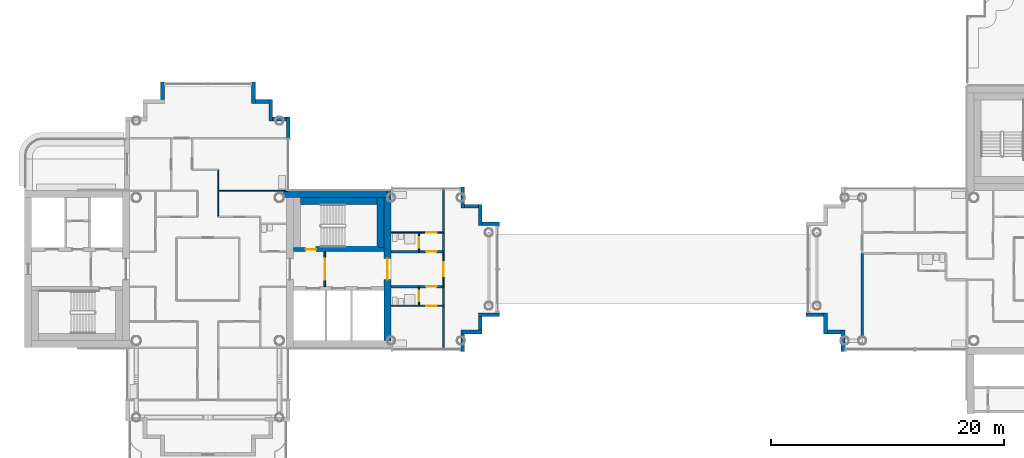
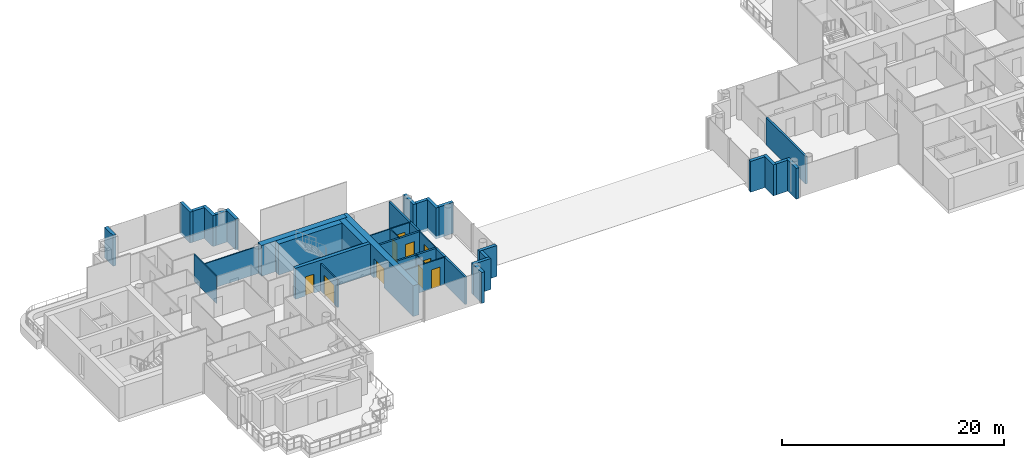
# One storey, part 9 of 19: 37 walls, 10 doors, 10 openings.
"""IFC4 building model written with IfcOpenShell, lengths in metres."""

from ifc_helpers import new_model, si_unit, direction, frame, frame_2d, origin, place, context, subcontext, project, spatial, rectangle, extrude, material, layer, layer_set, type_object, element, fill, save


model = new_model("IFC4")

# Units and contexts
model_context = context("Model", 3, precision=1e-05, world=origin(), true_north=direction((0.0, 1.0)))
body_context = subcontext(model_context, "Body", "Model", "MODEL_VIEW")
ifc_project = project(units=[si_unit("LENGTHUNIT", "METRE"), si_unit("AREAUNIT", "SQUARE_METRE"), si_unit("VOLUMEUNIT", "CUBIC_METRE"), si_unit("PLANEANGLEUNIT", "RADIAN"), si_unit("MASSUNIT", "GRAM", prefix="KILO")], contexts=[model_context])

# Site, building, storey
site_placement = place(None, origin())
site = spatial("IfcSite", under=ifc_project, at=site_placement, CompositionType="ELEMENT")
building_placement = place(site_placement, origin())
building = spatial("IfcBuilding", under=site, at=building_placement, Name="Ipe Terrace Towers", CompositionType="ELEMENT")
storey_placement = place(building_placement, frame((0.0, 0.0, 185.800048828125)))
storey = spatial("IfcBuildingStorey", under=building, at=storey_placement, Name="L51", CompositionType="ELEMENT", Elevation=185.800048828125)

# Walls
ifc_material_1 = material(Name="Concrete C40/50 with buff precast cladding", Category="concrete")
ifc_layer_1 = layer(ifc_material_1, 0.320068359375)
ifc_layer_set_1 = layer_set([ifc_layer_1], Name="BUFF CLADDING WALL 320")
wall_type_1 = type_object("IfcWallType", Name="BUFF CLADDING WALL 320", PredefinedType="STANDARD", material=ifc_layer_set_1)
wall_1_placement = place(storey_placement, frame((-14.090087890625, -7.070068359375, -0.300048828125), z_axis=(0.0, 0.0, 1.0), x_axis=(0.0, 1.0, 0.0)))
element("IfcWall", 1, at=wall_1_placement, inside=storey, type_object=wall_type_1, Name="T1-W-L51-17a wall", PredefinedType="STANDARD", context=body_context, shape_type="SweptSolid", body=[
    extrude(rectangle(XDim=1.5, YDim=0.320068359375, at=frame_2d((0.75, 0.0))), origin(), (0.0, 0.0, 1.0), 3.39990234375),
])
wall_2_placement = place(storey_placement, frame((-14.25, -5.409912109375, -0.300048828125), z_axis=(0.0, 0.0, 1.0), x_axis=(1.0, 0.0, 0.0)))
element("IfcWall", 2, at=wall_2_placement, inside=storey, type_object=wall_type_1, Name="T1-W-L51-18a wall", PredefinedType="STANDARD", context=body_context, shape_type="SweptSolid", body=[
    extrude(rectangle(XDim=1.820068359375, YDim=0.320068359375, at=frame_2d((0.91015625, 0.0))), origin(), (0.0, 0.0, 1.0), 3.39990234375),
])
wall_3_placement = place(storey_placement, frame((-12.590087890625, -5.25, -0.300048828125), z_axis=(0.0, 0.0, 1.0), x_axis=(0.0, 1.0, 0.0)))
element("IfcWall", 3, at=wall_3_placement, inside=storey, type_object=wall_type_1, Name="T1-W-L51-19a wall", PredefinedType="STANDARD", context=body_context, shape_type="SweptSolid", body=[
    extrude(rectangle(XDim=1.179931640625, YDim=0.320068359375, at=frame_2d((0.58984375, 0.0))), origin(), (0.0, 0.0, 1.0), 3.39990234375),
])
wall_4_placement = place(storey_placement, frame((-12.75, -3.909912109375, -0.300048828125), z_axis=(0.0, 0.0, 1.0), x_axis=(1.0, 0.0, 0.0)))
element("IfcWall", 4, at=wall_4_placement, inside=storey, type_object=wall_type_1, Name="T1-W-L51-20a wall", PredefinedType="STANDARD", context=body_context, shape_type="SweptSolid", body=[
    extrude(rectangle(XDim=1.820068359375, YDim=0.320068359375, at=frame_2d((0.91015625, 0.0))), origin(), (0.0, 0.0, 1.0), 3.39990234375),
])
wall_5_placement = place(storey_placement, frame((-10.929931640625, 3.909912109375, -0.300048828125), z_axis=(0.0, 0.0, 1.0), x_axis=(-1.0, 0.0, 0.0)))
element("IfcWall", 5, at=wall_5_placement, inside=storey, type_object=wall_type_1, Name="T1-W-L51-22a wall", PredefinedType="STANDARD", context=body_context, shape_type="SweptSolid", body=[
    extrude(rectangle(XDim=1.5, YDim=0.320068359375, at=frame_2d((0.75, 0.0))), origin(), (0.0, 0.0, 1.0), 3.39990234375),
])
wall_6_placement = place(storey_placement, frame((-12.590087890625, 3.75, -0.300048828125), z_axis=(0.0, 0.0, 1.0), x_axis=(0.0, 1.0, 0.0)))
element("IfcWall", 6, at=wall_6_placement, inside=storey, type_object=wall_type_1, Name="T1-W-L51-23a wall", PredefinedType="STANDARD", context=body_context, shape_type="SweptSolid", body=[
    extrude(rectangle(XDim=1.820068359375, YDim=0.320068359375, at=frame_2d((0.91015625, 0.0))), origin(), (0.0, 0.0, 1.0), 3.39990234375),
])
wall_7_placement = place(storey_placement, frame((-12.75, 5.409912109375, -0.300048828125), z_axis=(0.0, 0.0, 1.0), x_axis=(-1.0, 0.0, 0.0)))
element("IfcWall", 7, at=wall_7_placement, inside=storey, type_object=wall_type_1, Name="T1-W-L51-24a wall", PredefinedType="STANDARD", context=body_context, shape_type="SweptSolid", body=[
    extrude(rectangle(XDim=1.179931640625, YDim=0.320068359375, at=frame_2d((0.58984375, 0.0))), origin(), (0.0, 0.0, 1.0), 3.39990234375),
])
for number, where, z_axis, x_axis, name in (
    (8, (-14.090087890625, 5.25, -0.300048828125), (0.0, 0.0, 1.0), (0.0, 1.0, 0.0), "T1-W-L51-25a wall"),
    (9, (-29.090087890625, 11.25, -0.300048828125), (0.0, 0.0, 1.0), (0.0, 1.0, 0.0), "T1-W-L51-29a wall"),
):
    element("IfcWall", number, at=place(storey_placement, frame(where, z_axis=z_axis, x_axis=x_axis)), inside=storey, type_object=wall_type_1, Name=name, PredefinedType="STANDARD", context=body_context, shape_type="SweptSolid", body=[
        extrude(rectangle(XDim=1.820068359375, YDim=0.320068359375, at=frame_2d((0.91015625, 0.0))), origin(), (0.0, 0.0, 1.0), 3.39990234375),
    ])
wall_8_placement = place(storey_placement, frame((-29.25, 12.909912109375, -0.300048828125), z_axis=(0.0, 0.0, 1.0), x_axis=(-1.0, 0.0, 0.0)))
element("IfcWall", 10, at=wall_8_placement, inside=storey, type_object=wall_type_1, Name="T1-W-L51-30a wall", PredefinedType="STANDARD", context=body_context, shape_type="SweptSolid", body=[
    extrude(rectangle(XDim=1.179931640625, YDim=0.320068359375, at=frame_2d((0.58984375, 0.0))), origin(), (0.0, 0.0, 1.0), 3.39990234375),
])
wall_9_placement = place(storey_placement, frame((-30.590087890625, 12.75, -0.300048828125), z_axis=(0.0, 0.0, 1.0), x_axis=(0.0, 1.0, 0.0)))
element("IfcWall", 11, at=wall_9_placement, inside=storey, type_object=wall_type_1, Name="T1-W-L51-31a wall", PredefinedType="STANDARD", context=body_context, shape_type="SweptSolid", body=[
    extrude(rectangle(XDim=1.820068359375, YDim=0.320068359375, at=frame_2d((0.91015625, 0.0))), origin(), (0.0, 0.0, 1.0), 3.39990234375),
])
wall_10_placement = place(storey_placement, frame((-30.75, 14.409912109375, -0.300048828125), z_axis=(0.0, 0.0, 1.0), x_axis=(-1.0, 0.0, 0.0)))
element("IfcWall", 12, at=wall_10_placement, inside=storey, type_object=wall_type_1, Name="T1-W-L51-32a wall", PredefinedType="STANDARD", context=body_context, shape_type="SweptSolid", body=[
    extrude(rectangle(XDim=1.179931640625, YDim=0.320068359375, at=frame_2d((0.58984375, 0.0))), origin(), (0.0, 0.0, 1.0), 3.39990234375),
])
wall_11_placement = place(storey_placement, frame((-32.090087890625, 14.25, -0.300048828125), z_axis=(0.0, 0.0, 1.0), x_axis=(0.0, 1.0, 0.0)))
element("IfcWall", 13, at=wall_11_placement, inside=storey, type_object=wall_type_1, Name="T1-W-L51-33a wall", PredefinedType="STANDARD", context=body_context, shape_type="SweptSolid", body=[
    extrude(rectangle(XDim=1.820068359375, YDim=0.320068359375, at=frame_2d((0.91015625, 0.0))), origin(), (0.0, 0.0, 1.0), 3.39990234375),
])
for number, where, z_axis, x_axis, name in (
    (14, (-39.909912109375, 16.070068359375, -0.300048828125), (0.0, 0.0, 1.0), (0.0, -1.0, 0.0), "T1-W-L51-35a wall"),
    (15, (15.429931640625, -3.909912109375, -0.300048828125), (0.0, 0.0, 1.0), (1.0, 0.0, 0.0), "T2-W-L51-27a wall"),
):
    element("IfcWall", number, at=place(storey_placement, frame(where, z_axis=z_axis, x_axis=x_axis)), inside=storey, type_object=wall_type_1, Name=name, PredefinedType="STANDARD", context=body_context, shape_type="SweptSolid", body=[
        extrude(rectangle(XDim=1.5, YDim=0.320068359375, at=frame_2d((0.75, 0.0))), origin(), (0.0, 0.0, 1.0), 3.39990234375),
    ])
wall_12_placement = place(storey_placement, frame((17.090087890625, -3.75, -0.300048828125), z_axis=(0.0, 0.0, 1.0), x_axis=(0.0, -1.0, 0.0)))
element("IfcWall", 16, at=wall_12_placement, inside=storey, type_object=wall_type_1, Name="T2-W-L51-28a wall", PredefinedType="STANDARD", context=body_context, shape_type="SweptSolid", body=[
    extrude(rectangle(XDim=1.820068359375, YDim=0.320068359375, at=frame_2d((0.91015625, 0.0))), origin(), (0.0, 0.0, 1.0), 3.39990234375),
])
wall_13_placement = place(storey_placement, frame((17.25, -5.409912109375, -0.300048828125), z_axis=(0.0, 0.0, 1.0), x_axis=(1.0, 0.0, 0.0)))
element("IfcWall", 17, at=wall_13_placement, inside=storey, type_object=wall_type_1, Name="T2-W-L51-29a wall", PredefinedType="STANDARD", context=body_context, shape_type="SweptSolid", body=[
    extrude(rectangle(XDim=1.179931640625, YDim=0.320068359375, at=frame_2d((0.58984375, 0.0))), origin(), (0.0, 0.0, 1.0), 3.39990234375),
])
wall_14_placement = place(storey_placement, frame((18.590087890625, -5.25, -0.300048828125), z_axis=(0.0, 0.0, 1.0), x_axis=(0.0, -1.0, 0.0)))
element("IfcWall", 18, at=wall_14_placement, inside=storey, type_object=wall_type_1, Name="T2-W-L51-30a wall", PredefinedType="STANDARD", context=body_context, shape_type="SweptSolid", body=[
    extrude(rectangle(XDim=1.820068359375, YDim=0.320068359375, at=frame_2d((0.91015625, 0.0))), origin(), (0.0, 0.0, 1.0), 3.39990234375),
])
ifc_material_2 = material(Name="Gypsum board partition", Category="plasterboard")
ifc_layer_2 = layer(ifc_material_2, 0.10009765625)
ifc_layer_set_2 = layer_set([ifc_layer_2], Name="Gypsum board partition 100 mm")
wall_type_2 = type_object("IfcWallType", Name="Gypsum board partition 100 mm", PredefinedType="PARTITIONING", material=ifc_layer_set_2)
wall_15_placement = place(storey_placement, frame((-35.10009765625, 4.5, 0.0), z_axis=(0.0, 0.0, 1.0), x_axis=(0.0, 1.0, 0.0)))
element("IfcWall", 19, at=wall_15_placement, inside=storey, type_object=wall_type_2, Name="Gypsum board partition T1 L51 W09", PredefinedType="PARTITIONING", context=body_context, shape_type="SweptSolid", body=[
    extrude(rectangle(XDim=4.050048828125, YDim=0.10009765625, at=frame_2d((2.02490234375, 0.0))), origin(), (0.0, 0.0, 1.0), 3.0),
])

# Wall, opening, door
wall_16_placement = place(storey_placement, frame((-17.85009765625, -3.14990234375, 0.0), z_axis=(0.0, 0.0, 1.0), x_axis=(0.0, 1.0, 0.0)))
wall_16 = element("IfcWall", 20, at=wall_16_placement, inside=storey, type_object=wall_type_2, Name="Gypsum board partition T1 L51 W13", PredefinedType="PARTITIONING", context=body_context, shape_type="SweptSolid", body=[
    extrude(rectangle(XDim=1.64990234375, YDim=0.10009765625, at=frame_2d((0.824951171875, 0.0))), origin(), (0.0, 0.0, 1.0), 3.0),
])
opening_1_placement = place(wall_16_placement, frame((0.39990234375, 0.0, 0.0)))
opening_1 = element("IfcOpeningElement", 21, at=opening_1_placement, cuts=wall_16, Name="Opening T1-Z4C-21", PredefinedType="OPENING", context=body_context, shape_type="SweptSolid", body=[
    extrude(rectangle(XDim=0.89990234375, YDim=2.10009765625, at=frame_2d((0.449951171875, 1.050048828125))), frame((0.0, 0.06005859375, 0.0), z_axis=(0.0, -1.0, 0.0), x_axis=(1.0, 0.0, 0.0)), (0.0, 0.0, 1.0), 0.1201171875),
])
ifc_material_3 = material(Name="Timber door leaf", Category="wood")
door_type_1 = type_object("IfcDoorType", Name="Bathroom door 900 x 2100", OperationType="NOTDEFINED", PredefinedType="DOOR", material=ifc_material_3)
door_1_placement = place(opening_1_placement, origin())
door_1 = element("IfcDoor", 22, at=door_1_placement, inside=storey, type_object=door_type_1, Name="Bathroom door T1-Z4C-21", OperationType="SINGLE_SWING_LEFT", OverallHeight=2.10009765625, OverallWidth=0.89990234375, PredefinedType="DOOR", context=body_context, shape_type="SweptSolid", body=[
    extrude(rectangle(XDim=0.89990234375, YDim=2.10009765625, at=frame_2d((0.449951171875, 1.050048828125))), frame((0.0, 0.02490234375, 0.0), z_axis=(0.0, -1.0, 0.0), x_axis=(1.0, 0.0, 0.0)), (0.0, 0.0, 1.0), 0.050048828125),
])
fill(opening_1, door_1)

wall_17_placement = place(storey_placement, frame((-17.85009765625, 1.5, 0.0), z_axis=(0.0, 0.0, 1.0), x_axis=(0.0, 1.0, 0.0)))
wall_17 = element("IfcWall", 23, at=wall_17_placement, inside=storey, type_object=wall_type_2, Name="Gypsum board partition T1 L51 W14", PredefinedType="PARTITIONING", context=body_context, shape_type="SweptSolid", body=[
    extrude(rectangle(XDim=1.64990234375, YDim=0.10009765625, at=frame_2d((0.824951171875, 0.0))), origin(), (0.0, 0.0, 1.0), 3.0),
])
opening_2_placement = place(wall_17_placement, frame((0.35009765625, 0.0, 0.0)))
opening_2 = element("IfcOpeningElement", 24, at=opening_2_placement, cuts=wall_17, Name="Opening T1-Z4C-18", PredefinedType="OPENING", context=body_context, shape_type="SweptSolid", body=[
    extrude(rectangle(XDim=0.89990234375, YDim=2.10009765625, at=frame_2d((0.449951171875, 1.050048828125))), frame((0.0, 0.06005859375, 0.0), z_axis=(0.0, -1.0, 0.0), x_axis=(1.0, 0.0, 0.0)), (0.0, 0.0, 1.0), 0.1201171875),
])
door_2_placement = place(opening_2_placement, origin())
door_2 = element("IfcDoor", 25, at=door_2_placement, inside=storey, type_object=door_type_1, Name="Bathroom door T1-Z4C-18", OperationType="SINGLE_SWING_RIGHT", OverallHeight=2.10009765625, OverallWidth=0.89990234375, PredefinedType="DOOR", context=body_context, shape_type="SweptSolid", body=[
    extrude(rectangle(XDim=0.89990234375, YDim=2.10009765625, at=frame_2d((0.449951171875, 1.050048828125))), frame((0.0, 0.02490234375, 0.0), z_axis=(0.0, -1.0, 0.0), x_axis=(1.0, 0.0, 0.0)), (0.0, 0.0, 1.0), 0.050048828125),
])
fill(opening_2, door_2)

wall_18_placement = place(storey_placement, frame((-15.75, -1.5, 0.0), z_axis=(0.0, 0.0, 1.0), x_axis=(0.0, 1.0, 0.0)))
wall_18 = element("IfcWall", 26, at=wall_18_placement, inside=storey, type_object=wall_type_2, Name="Gypsum board partition T1 L51 W15", PredefinedType="PARTITIONING", context=body_context, shape_type="SweptSolid", body=[
    extrude(rectangle(XDim=3.0, YDim=0.10009765625, at=frame_2d((1.5, 0.0))), origin(), (0.0, 0.0, 1.0), 3.0),
])
opening_3_placement = place(wall_18_placement, frame((0.89990234375, 0.0, 0.0)))
opening_3 = element("IfcOpeningElement", 27, at=opening_3_placement, cuts=wall_18, Name="Opening T1-Z4C-22", PredefinedType="OPENING", context=body_context, shape_type="SweptSolid", body=[
    extrude(rectangle(XDim=1.199951171875, YDim=2.10009765625, at=frame_2d((0.60009765625, 1.050048828125))), frame((0.0, 0.06005859375, 0.0), z_axis=(0.0, -1.0, 0.0), x_axis=(1.0, 0.0, 0.0)), (0.0, 0.0, 1.0), 0.1201171875),
])
ifc_material_4 = material(Name="Timber door leaf", Category="wood")
door_type_2 = type_object("IfcDoorType", Name="Lounge door 1200 x 2100", OperationType="NOTDEFINED", PredefinedType="DOOR", material=ifc_material_4)
door_3_placement = place(opening_3_placement, origin())
door_3 = element("IfcDoor", 28, at=door_3_placement, inside=storey, type_object=door_type_2, Name="Lounge door T1-Z4C-22", OperationType="SINGLE_SWING_RIGHT", OverallHeight=2.10009765625, OverallWidth=1.199951171875, PredefinedType="DOOR", context=body_context, shape_type="SweptSolid", body=[
    extrude(rectangle(XDim=1.199951171875, YDim=2.10009765625, at=frame_2d((0.60009765625, 1.050048828125))), frame((0.0, 0.02490234375, 0.0), z_axis=(0.0, -1.0, 0.0), x_axis=(1.0, 0.0, 0.0)), (0.0, 0.0, 1.0), 0.050048828125),
])
fill(opening_3, door_3)

wall_19_placement = place(storey_placement, frame((-20.25, -3.14990234375, 0.0), z_axis=(0.0, 0.0, 1.0), x_axis=(1.0, 0.0, 0.0)))
wall_19 = element("IfcWall", 29, at=wall_19_placement, inside=storey, type_object=wall_type_2, Name="Gypsum board partition T1 L51 W23", PredefinedType="PARTITIONING", context=body_context, shape_type="SweptSolid", body=[
    extrude(rectangle(XDim=4.5, YDim=0.10009765625, at=frame_2d((2.25, 0.0))), origin(), (0.0, 0.0, 1.0), 3.0),
])
opening_4_placement = place(wall_19_placement, frame((3.0, 0.0, 0.0)))
opening_4 = element("IfcOpeningElement", 30, at=opening_4_placement, cuts=wall_19, Name="Opening T1-Z4C-20", PredefinedType="OPENING", context=body_context, shape_type="SweptSolid", body=[
    extrude(rectangle(XDim=0.89990234375, YDim=2.10009765625, at=frame_2d((0.449951171875, 1.050048828125))), frame((0.0, 0.06005859375, 0.0), z_axis=(0.0, -1.0, 0.0), x_axis=(1.0, 0.0, 0.0)), (0.0, 0.0, 1.0), 0.1201171875),
])
ifc_material_5 = material(Name="Timber door leaf", Category="wood")
door_type_3 = type_object("IfcDoorType", Name="Bedroom door 900 x 2100", OperationType="NOTDEFINED", PredefinedType="DOOR", material=ifc_material_5)
door_4_placement = place(opening_4_placement, origin())
door_4 = element("IfcDoor", 31, at=door_4_placement, inside=storey, type_object=door_type_3, Name="Bedroom door T1-Z4C-20", OperationType="SINGLE_SWING_RIGHT", OverallHeight=2.10009765625, OverallWidth=0.89990234375, PredefinedType="DOOR", context=body_context, shape_type="SweptSolid", body=[
    extrude(rectangle(XDim=0.89990234375, YDim=2.10009765625, at=frame_2d((0.449951171875, 1.050048828125))), frame((0.0, 0.02490234375, 0.0), z_axis=(0.0, -1.0, 0.0), x_axis=(1.0, 0.0, 0.0)), (0.0, 0.0, 1.0), 0.050048828125),
])
fill(opening_4, door_4)

wall_20_placement = place(storey_placement, frame((-20.25, 3.14990234375, 0.0), z_axis=(0.0, 0.0, 1.0), x_axis=(1.0, 0.0, 0.0)))
wall_20 = element("IfcWall", 32, at=wall_20_placement, inside=storey, type_object=wall_type_2, Name="Gypsum board partition T1 L51 W32", PredefinedType="PARTITIONING", context=body_context, shape_type="SweptSolid", body=[
    extrude(rectangle(XDim=4.5, YDim=0.10009765625, at=frame_2d((2.25, 0.0))), origin(), (0.0, 0.0, 1.0), 3.0),
])
opening_5_placement = place(wall_20_placement, frame((3.0, 0.0, 0.0)))
opening_5 = element("IfcOpeningElement", 33, at=opening_5_placement, cuts=wall_20, Name="Opening T1-Z4C-17", PredefinedType="OPENING", context=body_context, shape_type="SweptSolid", body=[
    extrude(rectangle(XDim=0.89990234375, YDim=2.10009765625, at=frame_2d((0.449951171875, 1.050048828125))), frame((0.0, 0.06005859375, 0.0), z_axis=(0.0, -1.0, 0.0), x_axis=(1.0, 0.0, 0.0)), (0.0, 0.0, 1.0), 0.1201171875),
])
door_5_placement = place(opening_5_placement, origin())
door_5 = element("IfcDoor", 34, at=door_5_placement, inside=storey, type_object=door_type_3, Name="Bedroom door T1-Z4C-17", OperationType="SINGLE_SWING_LEFT", OverallHeight=2.10009765625, OverallWidth=0.89990234375, PredefinedType="DOOR", context=body_context, shape_type="SweptSolid", body=[
    extrude(rectangle(XDim=0.89990234375, YDim=2.10009765625, at=frame_2d((0.449951171875, 1.050048828125))), frame((0.0, 0.02490234375, 0.0), z_axis=(0.0, -1.0, 0.0), x_axis=(1.0, 0.0, 0.0)), (0.0, 0.0, 1.0), 0.050048828125),
])
fill(opening_5, door_5)

# Wall
wall_21_placement = place(storey_placement, frame((-35.10009765625, 6.75, 0.0), z_axis=(0.0, 0.0, 1.0), x_axis=(1.0, 0.0, 0.0)))
element("IfcWall", 35, at=wall_21_placement, inside=storey, type_object=wall_type_2, Name="Gypsum board partition T1 L51 W37", PredefinedType="PARTITIONING", context=body_context, shape_type="SweptSolid", body=[
    extrude(rectangle(XDim=5.9501953125, YDim=0.10009765625, at=frame_2d((2.97509765625, 0.0))), origin(), (0.0, 0.0, 1.0), 3.0),
])

# Wall, opening, door
ifc_material_6 = material(Name="Gypsum board partition", Category="plasterboard")
ifc_layer_3 = layer(ifc_material_6, 0.14990234375)
ifc_layer_set_3 = layer_set([ifc_layer_3], Name="Gypsum board partition 150 mm")
wall_type_3 = type_object("IfcWallType", Name="Gypsum board partition 150 mm", PredefinedType="PARTITIONING", material=ifc_layer_set_3)
wall_22_placement = place(storey_placement, frame((-25.949951171875, -1.5, 0.0), z_axis=(0.0, 0.0, 1.0), x_axis=(0.0, 1.0, 0.0)))
wall_22 = element("IfcWall", 36, at=wall_22_placement, inside=storey, type_object=wall_type_3, Name="Gypsum board partition T1 L51 t1c1-lobby-wall", PredefinedType="PARTITIONING", context=body_context, shape_type="SweptSolid", body=[
    extrude(rectangle(XDim=3.0, YDim=0.14990234375, at=frame_2d((1.5, 0.0))), origin(), (0.0, 0.0, 1.0), 3.0),
])
opening_6_placement = place(wall_22_placement, frame((0.60009765625, 0.0, 0.0)))
opening_6 = element("IfcOpeningElement", 37, at=opening_6_placement, cuts=wall_22, Name="Opening T1C1-VD", PredefinedType="OPENING", context=body_context, shape_type="SweptSolid", body=[
    extrude(rectangle(XDim=1.800048828125, YDim=2.10009765625, at=frame_2d((0.89990234375, 1.050048828125))), frame((0.0, 0.0849609375, 0.0), z_axis=(0.0, -1.0, 0.0), x_axis=(1.0, 0.0, 0.0)), (0.0, 0.0, 1.0), 0.169921875),
])
ifc_material_7 = material(Name="Fire-rated timber door leaf", Category="wood")
door_type_4 = type_object("IfcDoorType", Name="Lobby door 1800 x 2100 FD60", OperationType="NOTDEFINED", PredefinedType="DOOR", material=ifc_material_7)
door_6_placement = place(opening_6_placement, origin())
door_6 = element("IfcDoor", 38, at=door_6_placement, inside=storey, type_object=door_type_4, Name="Lobby door T1C1-VD", OperationType="SINGLE_SWING_LEFT", OverallHeight=2.10009765625, OverallWidth=1.800048828125, PredefinedType="DOOR", context=body_context, shape_type="SweptSolid", body=[
    extrude(rectangle(XDim=1.800048828125, YDim=2.10009765625, at=frame_2d((0.89990234375, 1.050048828125))), frame((0.0, 0.02490234375, 0.0), z_axis=(0.0, -1.0, 0.0), x_axis=(1.0, 0.0, 0.0)), (0.0, 0.0, 1.0), 0.050048828125),
])
fill(opening_6, door_6)

# Walls
ifc_material_8 = material(Name="Gypsum board party wall", Category="plasterboard")
ifc_layer_4 = layer(ifc_material_8, 0.199951171875)
ifc_layer_set_4 = layer_set([ifc_layer_4], Name="Gypsum board party wall 200 mm")
wall_type_4 = type_object("IfcWallType", Name="Gypsum board party wall 200 mm", PredefinedType="SOLIDWALL", material=ifc_layer_set_4)
for number, where, z_axis, x_axis, name in (
    (39, (-15.75, -6.85009765625, 0.0), (0.0, 0.0, 1.0), (0.0, 1.0, 0.0), "Gypsum board party wall T1 L51 W16"),
    (40, (-15.75, 1.5, 0.0), (0.0, 0.0, 1.0), (0.0, 1.0, 0.0), "Gypsum board party wall T1 L51 W17"),
):
    element("IfcWall", number, at=place(storey_placement, frame(where, z_axis=z_axis, x_axis=x_axis)), inside=storey, type_object=wall_type_4, Name=name, PredefinedType="SOLIDWALL", context=body_context, shape_type="SweptSolid", body=[
        extrude(rectangle(XDim=5.35009765625, YDim=0.199951171875, at=frame_2d((2.675048828125, 0.0))), origin(), (0.0, 0.0, 1.0), 3.0),
    ])

# Wall, opening, door
wall_23_placement = place(storey_placement, frame((-20.25, -1.5, 0.0), z_axis=(0.0, 0.0, 1.0), x_axis=(1.0, 0.0, 0.0)))
wall_23 = element("IfcWall", 41, at=wall_23_placement, inside=storey, type_object=wall_type_4, Name="Gypsum board party wall T1 L51 W27", PredefinedType="SOLIDWALL", context=body_context, shape_type="SweptSolid", body=[
    extrude(rectangle(XDim=4.5, YDim=0.199951171875, at=frame_2d((2.25, 0.0))), origin(), (0.0, 0.0, 1.0), 3.0),
])
opening_7_placement = place(wall_23_placement, frame((3.0, 0.0, 0.0)))
opening_7 = element("IfcOpeningElement", 42, at=opening_7_placement, cuts=wall_23, Name="Opening T1-Z4C-19", PredefinedType="OPENING", context=body_context, shape_type="SweptSolid", body=[
    extrude(rectangle(XDim=0.89990234375, YDim=2.10009765625, at=frame_2d((0.449951171875, 1.050048828125))), frame((0.0, 0.10986328125, 0.0), z_axis=(0.0, -1.0, 0.0), x_axis=(1.0, 0.0, 0.0)), (0.0, 0.0, 1.0), 0.219970703125),
])
ifc_material_9 = material(Name="Fire-rated timber door leaf", Category="wood")
door_type_5 = type_object("IfcDoorType", Name="Flat entrance door 900 x 2100 FD30S", OperationType="NOTDEFINED", PredefinedType="DOOR", material=ifc_material_9)
door_7_placement = place(opening_7_placement, origin())
door_7 = element("IfcDoor", 43, at=door_7_placement, inside=storey, type_object=door_type_5, Name="Flat entrance door T1-Z4C-19", OperationType="SINGLE_SWING_RIGHT", OverallHeight=2.10009765625, OverallWidth=0.89990234375, PredefinedType="DOOR", context=body_context, shape_type="SweptSolid", body=[
    extrude(rectangle(XDim=0.89990234375, YDim=2.10009765625, at=frame_2d((0.449951171875, 1.050048828125))), frame((0.0, 0.02490234375, 0.0), z_axis=(0.0, -1.0, 0.0), x_axis=(1.0, 0.0, 0.0)), (0.0, 0.0, 1.0), 0.050048828125),
])
fill(opening_7, door_7)

wall_24_placement = place(storey_placement, frame((-20.25, 1.5, 0.0), z_axis=(0.0, 0.0, 1.0), x_axis=(1.0, 0.0, 0.0)))
wall_24 = element("IfcWall", 44, at=wall_24_placement, inside=storey, type_object=wall_type_4, Name="Gypsum board party wall T1 L51 W30", PredefinedType="SOLIDWALL", context=body_context, shape_type="SweptSolid", body=[
    extrude(rectangle(XDim=4.5, YDim=0.199951171875, at=frame_2d((2.25, 0.0))), origin(), (0.0, 0.0, 1.0), 3.0),
])
opening_8_placement = place(wall_24_placement, frame((3.0, 0.0, 0.0)))
opening_8 = element("IfcOpeningElement", 45, at=opening_8_placement, cuts=wall_24, Name="Opening T1-Z4C-16", PredefinedType="OPENING", context=body_context, shape_type="SweptSolid", body=[
    extrude(rectangle(XDim=0.89990234375, YDim=2.10009765625, at=frame_2d((0.449951171875, 1.050048828125))), frame((0.0, 0.10986328125, 0.0), z_axis=(0.0, -1.0, 0.0), x_axis=(1.0, 0.0, 0.0)), (0.0, 0.0, 1.0), 0.219970703125),
])
door_8_placement = place(opening_8_placement, origin())
door_8 = element("IfcDoor", 46, at=door_8_placement, inside=storey, type_object=door_type_5, Name="Flat entrance door T1-Z4C-16", OperationType="SINGLE_SWING_LEFT", OverallHeight=2.10009765625, OverallWidth=0.89990234375, PredefinedType="DOOR", context=body_context, shape_type="SweptSolid", body=[
    extrude(rectangle(XDim=0.89990234375, YDim=2.10009765625, at=frame_2d((0.449951171875, 1.050048828125))), frame((0.0, 0.02490234375, 0.0), z_axis=(0.0, -1.0, 0.0), x_axis=(1.0, 0.0, 0.0)), (0.0, 0.0, 1.0), 0.050048828125),
])
fill(opening_8, door_8)

# Wall
wall_25_placement = place(storey_placement, frame((20.25, -5.800048828125, 0.0), z_axis=(0.0, 0.0, 1.0), x_axis=(0.0, 1.0, 0.0)))
element("IfcWall", 47, at=wall_25_placement, inside=storey, type_object=wall_type_4, Name="Gypsum board party wall T2 L51 W42", PredefinedType="SOLIDWALL", context=body_context, shape_type="SweptSolid", body=[
    extrude(rectangle(XDim=7.150146484375, YDim=0.199951171875, at=frame_2d((3.5751953125, 0.0))), origin(), (0.0, 0.0, 1.0), 3.0),
])

# Wall, opening, door
ifc_material_10 = material(Name="Concrete C40/50", Category="concrete")
ifc_layer_5 = layer(ifc_material_10, 0.35009765625)
ifc_layer_set_5 = layer_set([ifc_layer_5], Name="RW350 CORE SPINE WALL 350 C40-50")
wall_type_5 = type_object("IfcWallType", Name="RW350 CORE SPINE WALL 350 C40-50", PredefinedType="SHEAR", material=ifc_layer_set_5)
wall_26_placement = place(storey_placement, frame((-28.64990234375, 1.675048828125, 0.0), z_axis=(0.0, 0.0, 1.0), x_axis=(1.0, 0.0, 0.0)))
wall_26 = element("IfcWall", 48, at=wall_26_placement, inside=storey, type_object=wall_type_5, Name="Core spine wall T1-C1-Z4-SW2", PredefinedType="SHEAR", context=body_context, shape_type="SweptSolid", body=[
    extrude(rectangle(XDim=7.7998046875, YDim=0.35009765625, at=frame_2d((3.89990234375, 0.0))), origin(), (0.0, 0.0, 1.0), 3.39990234375),
])
opening_9_placement = place(wall_26_placement, frame((1.050048828125, 0.0, 0.0)))
opening_9 = element("IfcOpeningElement", 49, at=opening_9_placement, cuts=wall_26, Name="Opening T1C1-SD", PredefinedType="OPENING", context=body_context, shape_type="SweptSolid", body=[
    extrude(rectangle(XDim=0.89990234375, YDim=2.10009765625, at=frame_2d((0.449951171875, 1.050048828125))), frame((0.0, 0.18505859375, 0.0), z_axis=(0.0, -1.0, 0.0), x_axis=(1.0, 0.0, 0.0)), (0.0, 0.0, 1.0), 0.3701171875),
])
ifc_material_11 = material(Name="Fire-rated timber door leaf", Category="wood")
door_type_6 = type_object("IfcDoorType", Name="Stair door 900 x 2100 FD60", OperationType="NOTDEFINED", PredefinedType="DOOR", material=ifc_material_11)
door_9_placement = place(opening_9_placement, origin())
door_9 = element("IfcDoor", 50, at=door_9_placement, inside=storey, type_object=door_type_6, Name="Stair door T1C1-SD", OperationType="SINGLE_SWING_LEFT", OverallHeight=2.10009765625, OverallWidth=0.89990234375, PredefinedType="DOOR", context=body_context, shape_type="SweptSolid", body=[
    extrude(rectangle(XDim=0.89990234375, YDim=2.10009765625, at=frame_2d((0.449951171875, 1.050048828125))), frame((0.0, 0.02490234375, 0.0), z_axis=(0.0, -1.0, 0.0), x_axis=(1.0, 0.0, 0.0)), (0.0, 0.0, 1.0), 0.050048828125),
])
fill(opening_9, door_9)

# Walls
ifc_material_12 = material(Name="Concrete C40/50", Category="concrete")
ifc_layer_6 = layer(ifc_material_12, 0.050048828125)
ifc_layer_set_6 = layer_set([ifc_layer_6], Name="RW50 CORE INFILL WALL 50 C40-50")
wall_type_6 = type_object("IfcWallType", Name="RW50 CORE INFILL WALL 50 C40-50", PredefinedType="SHEAR", material=ifc_layer_set_6)
wall_27_placement = place(storey_placement, frame((-26.64990234375, 1.875, 0.0), z_axis=(0.0, 0.0, 1.0), x_axis=(1.0, 0.0, 0.0)))
element("IfcWall", 51, at=wall_27_placement, inside=storey, type_object=wall_type_6, Name="Core infill wall T1-C1-spine-b", PredefinedType="SHEAR", context=body_context, shape_type="SweptSolid", body=[
    extrude(rectangle(XDim=5.199951171875, YDim=0.050048828125, at=frame_2d((2.60009765625, 0.0))), origin(), (0.0, 0.0, 1.0), 3.39990234375),
])
ifc_material_13 = material(Name="Concrete C40/50", Category="concrete")
ifc_layer_7 = layer(ifc_material_13, 0.60009765625)
ifc_layer_set_7 = layer_set([ifc_layer_7], Name="RW600 CORE INFILL WALL 600 C40-50")
wall_type_7 = type_object("IfcWallType", Name="RW600 CORE INFILL WALL 600 C40-50", PredefinedType="SHEAR", material=ifc_layer_set_7)
wall_28_placement = place(storey_placement, frame((-21.14990234375, 1.85009765625, 0.0), z_axis=(0.0, 0.0, 1.0), x_axis=(0.0, 1.0, 0.0)))
element("IfcWall", 52, at=wall_28_placement, inside=storey, type_object=wall_type_7, Name="Core infill wall T1-C1-far", PredefinedType="SHEAR", context=body_context, shape_type="SweptSolid", body=[
    extrude(rectangle(XDim=4.2998046875, YDim=0.60009765625, at=frame_2d((2.14990234375, 0.0))), origin(), (0.0, 0.0, 1.0), 3.39990234375),
])
wall_29_placement = place(storey_placement, frame((-28.050048828125, 5.85009765625, 0.0), z_axis=(0.0, 0.0, 1.0), x_axis=(1.0, 0.0, 0.0)))
element("IfcWall", 53, at=wall_29_placement, inside=storey, type_object=wall_type_7, Name="Core infill wall T1-C1-back", PredefinedType="SHEAR", context=body_context, shape_type="SweptSolid", body=[
    extrude(rectangle(XDim=6.60009765625, YDim=0.60009765625, at=frame_2d((3.300048828125, 0.0))), origin(), (0.0, 0.0, 1.0), 3.39990234375),
])

# Wall, opening, door
ifc_material_14 = material(Name="Concrete C40/50", Category="concrete")
ifc_layer_8 = layer(ifc_material_14, 0.60009765625)
ifc_layer_set_8 = layer_set([ifc_layer_8], Name="RW600 CORE WALL 600 C40-50")
wall_type_8 = type_object("IfcWallType", Name="RW600 CORE WALL 600 C40-50", PredefinedType="SHEAR", material=ifc_layer_set_8)
wall_30_placement = place(storey_placement, frame((-20.550048828125, -6.14990234375, 0.0), z_axis=(0.0, 0.0, 1.0), x_axis=(0.0, 1.0, 0.0)))
wall_30 = element("IfcWall", 54, at=wall_30_placement, inside=storey, type_object=wall_type_8, Name="Core wall T1-C1-Z4-W02", PredefinedType="SHEAR", context=body_context, shape_type="SweptSolid", body=[
    extrude(rectangle(XDim=12.89990234375, YDim=0.60009765625, at=frame_2d((6.449951171875, 0.0))), origin(), (0.0, 0.0, 1.0), 3.39990234375),
])
opening_10_placement = place(wall_30_placement, frame((5.25, 0.0, 0.0)))
opening_10 = element("IfcOpeningElement", 55, at=opening_10_placement, cuts=wall_30, Name="Opening T1C1-FD", PredefinedType="OPENING", context=body_context, shape_type="SweptSolid", body=[
    extrude(rectangle(XDim=1.800048828125, YDim=2.10009765625, at=frame_2d((0.89990234375, 1.050048828125))), frame((0.0, 0.31005859375, 0.0), z_axis=(0.0, -1.0, 0.0), x_axis=(1.0, 0.0, 0.0)), (0.0, 0.0, 1.0), 0.6201171875),
])
ifc_material_15 = material(Name="Fire-rated timber door leaf", Category="wood")
door_type_7 = type_object("IfcDoorType", Name="Fire door 1800 x 2100 FD30S", OperationType="NOTDEFINED", PredefinedType="DOOR", material=ifc_material_15)
door_10_placement = place(opening_10_placement, origin())
door_10 = element("IfcDoor", 56, at=door_10_placement, inside=storey, type_object=door_type_7, Name="Fire door T1C1-FD", OperationType="SINGLE_SWING_LEFT", OverallHeight=2.10009765625, OverallWidth=1.800048828125, PredefinedType="DOOR", context=body_context, shape_type="SweptSolid", body=[
    extrude(rectangle(XDim=1.800048828125, YDim=2.10009765625, at=frame_2d((0.89990234375, 1.050048828125))), frame((0.0, 0.02490234375, 0.0), z_axis=(0.0, -1.0, 0.0), x_axis=(1.0, 0.0, 0.0)), (0.0, 0.0, 1.0), 0.050048828125),
])
fill(opening_10, door_10)

# Wall
wall_31_placement = place(storey_placement, frame((-20.60205078125, 6.449951171875, 0.0), z_axis=(0.0, 0.0, 1.0), x_axis=(-1.0, 0.0, 0.0)))
element("IfcWall", 57, at=wall_31_placement, inside=storey, type_object=wall_type_8, Name="Core wall T1-C1-Z4-W03", PredefinedType="SHEAR", context=body_context, shape_type="SweptSolid", body=[
    extrude(rectangle(XDim=8.89599609375, YDim=0.60009765625, at=frame_2d((4.447998046875, 0.0))), origin(), (0.0, 0.0, 1.0), 3.39990234375),
])

save(model, "model.ifc")
